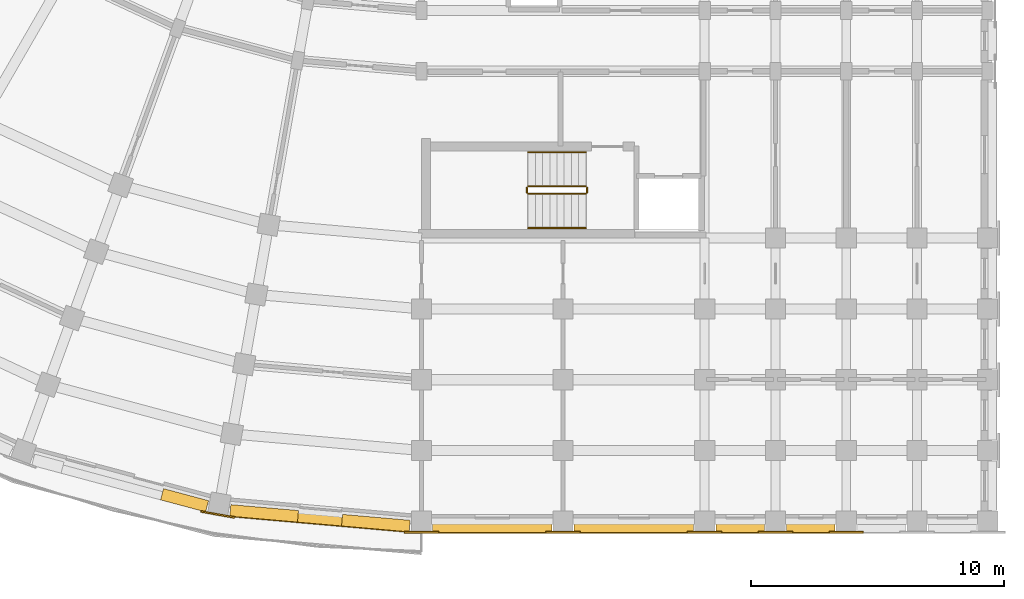
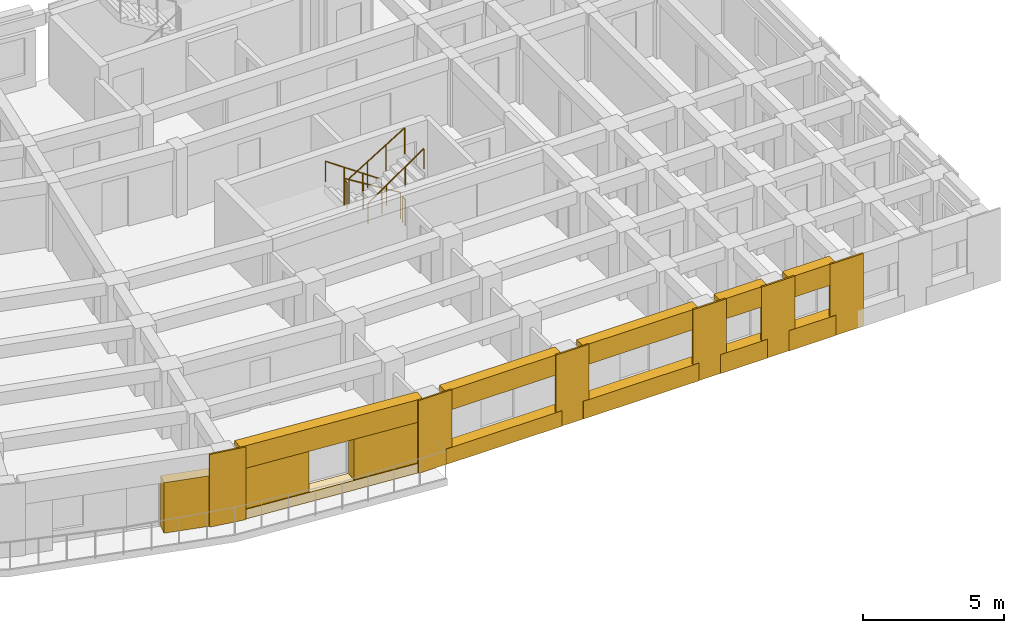
# One storey, part 39 of 54: 19 coverings, 6 railings.
"""IFC4 building model written with IfcOpenShell, lengths in metres."""

from ifc_helpers import new_model, si_unit, direction, frame, origin, origin_2d, place, context, subcontext, project, spatial, polyline, circle, outline, extrude, material, layer, layer_set, type_object, element, save


model = new_model("IFC4")

# Units and contexts
model_context = context("Model", 3, precision=1e-05, world=origin(), true_north=direction((0.0, 1.0)))
body_context = subcontext(model_context, "Body", "Model", "MODEL_VIEW")
ifc_project = project(units=[si_unit("LENGTHUNIT", "METRE"), si_unit("AREAUNIT", "SQUARE_METRE"), si_unit("VOLUMEUNIT", "CUBIC_METRE"), si_unit("PLANEANGLEUNIT", "RADIAN"), si_unit("MASSUNIT", "GRAM", prefix="KILO")], contexts=[model_context])

# Site, building, storey
site_placement = place(None, origin())
site = spatial("IfcSite", under=ifc_project, at=site_placement, CompositionType="ELEMENT")
building_placement = place(site_placement, origin())
building = spatial("IfcBuilding", under=site, at=building_placement, Name="Kiranvali Square Residences", CompositionType="ELEMENT")
storey_placement = place(building_placement, frame((0.0, 0.0, 11.85009765625)))
storey = spatial("IfcBuildingStorey", under=building, at=storey_placement, Name="L03", CompositionType="ELEMENT", Elevation=11.85009765625)

# Coverings
ifc_material_1 = material(Name="Honed Porbandar limestone ashlar facade cladding", Category="masonry")
ifc_layer_1 = layer(ifc_material_1, 0.3798828125)
ifc_layer_set_1 = layer_set([ifc_layer_1], Name="Honed Porbandar limestone ashlar facade cladding")
covering_type_1 = type_object("IfcCoveringType", Name="COV-CLAD-JAMB", PredefinedType="CLADDING", material=ifc_layer_set_1)
covering_1_placement = place(storey_placement, frame((0.0, 0.0, 0.421875)))
element("IfcCovering", 1, at=covering_1_placement, inside=storey, type_object=covering_type_1, Name="L03 deep limestone window jamb reveal C-L03-CRV-00.L", PredefinedType="CLADDING", context=body_context, shape_type="SweptSolid", body=[
    extrude(outline(polyline([(47.751708984375, 2.23876953125), (45.07763671875, 2.47265625), (45.03759765625, 2.014892578125), (47.711669921875, 1.781005859375), (47.751708984375, 2.23876953125)])), origin(), (0.0, 0.0, 1.0), 1.75),
])
covering_2_placement = place(storey_placement, frame((0.0, 0.0, 0.421875)))
element("IfcCovering", 2, at=covering_2_placement, inside=storey, type_object=covering_type_1, Name="L03 deep limestone window jamb reveal C-L03-CRV-00.R", PredefinedType="CLADDING", context=body_context, shape_type="SweptSolid", body=[
    extrude(outline(polyline([(43.33447265625, 2.625244140625), (40.660400390625, 2.859130859375), (40.620361328125, 2.4013671875), (43.29443359375, 2.16748046875), (43.33447265625, 2.625244140625)])), origin(), (0.0, 0.0, 1.0), 1.75),
])
covering_3_placement = place(storey_placement, origin())
element("IfcCovering", 3, at=covering_3_placement, inside=storey, type_object=covering_type_1, Name="L03 deep limestone window jamb reveal C-L03-CRV-01.L", PredefinedType="CLADDING", context=body_context, shape_type="SweptSolid", body=[
    extrude(outline(polyline([(39.77734375, 3.014892578125), (37.998779296875, 3.491455078125), (37.8798828125, 3.047607421875), (39.658447265625, 2.571044921875), (39.77734375, 3.014892578125)])), origin(), (0.0, 0.0, 1.0), 2.179931640625),
])
ifc_layer_2 = layer(ifc_material_1, 0.06494140625)
ifc_layer_set_2 = layer_set([ifc_layer_2], Name="Honed Porbandar limestone ashlar facade cladding")
covering_type_2 = type_object("IfcCoveringType", Name="COV-CLAD-PIER", PredefinedType="CLADDING", material=ifc_layer_set_2)
covering_4_placement = place(storey_placement, frame((0.0, 0.0, 0.0048828125)))
element("IfcCovering", 4, at=covering_4_placement, inside=storey, type_object=covering_type_2, Name="L03 Classical limestone corner pilaster CLAD-PR-C-L03-A00", PredefinedType="CLADDING", context=body_context, shape_type="SweptSolid", body=[
    extrude(outline(polyline([(47.52001953125, 1.73193359375), (48.8798828125, 1.73193359375), (48.8798828125, 1.799560546875), (47.52001953125, 1.799560546875), (47.52001953125, 1.73193359375)])), origin(), (0.0, 0.0, 1.0), 3.14013671875),
])
covering_5_placement = place(storey_placement, frame((0.0, 0.0, 0.0048828125)))
element("IfcCovering", 5, at=covering_5_placement, inside=storey, type_object=covering_type_2, Name="L03 Classical limestone corner pilaster CLAD-PR-C-L03-A01", PredefinedType="CLADDING", context=body_context, shape_type="SweptSolid", body=[
    extrude(outline(polyline([(39.461181640625, 2.555908203125), (40.800537109375, 2.31982421875), (40.812255859375, 2.38623046875), (39.472900390625, 2.62255859375), (39.461181640625, 2.555908203125)])), origin(), (0.0, 0.0, 1.0), 3.14013671875),
])
covering_6_placement = place(storey_placement, frame((0.0, 0.0, 0.0048828125)))
element("IfcCovering", 6, at=covering_6_placement, inside=storey, type_object=covering_type_2, Name="L03 Classical limestone pilaster casing CLAD-PR-C-L03-U56", PredefinedType="CLADDING", context=body_context, shape_type="SweptSolid", body=[
    extrude(outline(polyline([(53.1201171875, 1.73193359375), (54.47998046875, 1.73193359375), (54.47998046875, 1.799560546875), (53.1201171875, 1.799560546875), (53.1201171875, 1.73193359375)])), origin(), (0.0, 0.0, 1.0), 3.14013671875),
])
covering_7_placement = place(storey_placement, frame((0.0, 0.0, 0.0048828125)))
element("IfcCovering", 7, at=covering_7_placement, inside=storey, type_object=covering_type_2, Name="L03 Classical limestone pilaster casing CLAD-PR-C-L03-U112", PredefinedType="CLADDING", context=body_context, shape_type="SweptSolid", body=[
    extrude(outline(polyline([(58.719970703125, 1.73193359375), (60.080078125, 1.73193359375), (60.080078125, 1.799560546875), (58.719970703125, 1.799560546875), (58.719970703125, 1.73193359375)])), origin(), (0.0, 0.0, 1.0), 3.14013671875),
])
covering_8_placement = place(storey_placement, frame((0.0, 0.0, 0.0048828125)))
element("IfcCovering", 8, at=covering_8_placement, inside=storey, type_object=covering_type_2, Name="L03 Classical limestone pilaster casing CLAD-PR-C-L03-U140", PredefinedType="CLADDING", context=body_context, shape_type="SweptSolid", body=[
    extrude(outline(polyline([(61.52001953125, 1.73193359375), (62.8798828125, 1.73193359375), (62.8798828125, 1.799560546875), (61.52001953125, 1.799560546875), (61.52001953125, 1.73193359375)])), origin(), (0.0, 0.0, 1.0), 3.14013671875),
])
covering_9_placement = place(storey_placement, frame((0.0, 0.0, 0.0048828125)))
element("IfcCovering", 9, at=covering_9_placement, inside=storey, type_object=covering_type_2, Name="L03 Classical limestone pilaster casing CLAD-PR-C-L03-U167", PredefinedType="CLADDING", context=body_context, shape_type="SweptSolid", body=[
    extrude(outline(polyline([(64.320068359375, 1.73193359375), (65.679931640625, 1.73193359375), (65.679931640625, 1.799560546875), (64.320068359375, 1.799560546875), (64.320068359375, 1.73193359375)])), origin(), (0.0, 0.0, 1.0), 3.14013671875),
])
ifc_layer_3 = layer(ifc_material_1, 0.360107421875)
ifc_layer_set_3 = layer_set([ifc_layer_3], Name="Honed Porbandar limestone ashlar facade cladding")
covering_type_3 = type_object("IfcCoveringType", Name="COV-CLAD-WALL", PredefinedType="CLADDING", material=ifc_layer_set_3)
covering_10_placement = place(storey_placement, frame((0.0, 0.0, 2.171875)))
element("IfcCovering", 10, at=covering_10_placement, inside=storey, type_object=covering_type_3, Name="L03 light limestone spandrel lintel C-L03-CRV-00", PredefinedType="CLADDING", context=body_context, shape_type="SweptSolid", body=[
    extrude(outline(polyline([(47.751708984375, 2.23876953125), (40.660400390625, 2.859130859375), (40.620361328125, 2.4013671875), (47.711669921875, 1.781005859375), (47.751708984375, 2.23876953125)])), origin(), (0.0, 0.0, 1.0), 0.97314453125),
])
covering_11_placement = place(storey_placement, frame((0.0, 0.0, 0.0048828125)))
element("IfcCovering", 11, at=covering_11_placement, inside=storey, type_object=covering_type_3, Name="L03 limestone window sill apron C-L03-CRV-00", PredefinedType="CLADDING", context=body_context, shape_type="SweptSolid", body=[
    extrude(outline(polyline([(47.751708984375, 2.23876953125), (40.660400390625, 2.859130859375), (40.61767578125, 2.37158203125), (47.708984375, 1.7509765625), (47.751708984375, 2.23876953125)])), origin(), (0.0, 0.0, 1.0), 0.4169921875),
])
covering_12_placement = place(storey_placement, frame((0.0, 0.0, 2.27197265625)))
element("IfcCovering", 12, at=covering_12_placement, inside=storey, type_object=covering_type_3, Name="L03 light limestone spandrel lintel C-L03-A1O-0", PredefinedType="CLADDING", context=body_context, shape_type="SweptSolid", body=[
    extrude(outline(polyline([(48.639892578125, 1.75), (53.360107421875, 1.75), (53.360107421875, 2.199462890625), (48.639892578125, 2.199462890625), (48.639892578125, 1.75)])), origin(), (0.0, 0.0, 1.0), 0.873046875),
])
covering_13_placement = place(storey_placement, frame((0.0, 0.0, 0.0048828125)))
element("IfcCovering", 13, at=covering_13_placement, inside=storey, type_object=covering_type_3, Name="L03 limestone window sill apron C-L03-A1O-0", PredefinedType="CLADDING", context=body_context, shape_type="SweptSolid", body=[
    extrude(outline(polyline([(48.639892578125, 1.719970703125), (53.360107421875, 1.719970703125), (53.360107421875, 2.199462890625), (48.639892578125, 2.199462890625), (48.639892578125, 1.719970703125)])), origin(), (0.0, 0.0, 1.0), 0.6669921875),
])
covering_14_placement = place(storey_placement, frame((0.0, 0.0, 2.27197265625)))
element("IfcCovering", 14, at=covering_14_placement, inside=storey, type_object=covering_type_3, Name="L03 light limestone spandrel lintel C-L03-A1O-1", PredefinedType="CLADDING", context=body_context, shape_type="SweptSolid", body=[
    extrude(outline(polyline([(54.239990234375, 1.75), (58.9599609375, 1.75), (58.9599609375, 2.199462890625), (54.239990234375, 2.199462890625), (54.239990234375, 1.75)])), origin(), (0.0, 0.0, 1.0), 0.873046875),
])
covering_15_placement = place(storey_placement, frame((0.0, 0.0, 0.0048828125)))
element("IfcCovering", 15, at=covering_15_placement, inside=storey, type_object=covering_type_3, Name="L03 limestone window sill apron C-L03-A1O-1", PredefinedType="CLADDING", context=body_context, shape_type="SweptSolid", body=[
    extrude(outline(polyline([(54.239990234375, 1.719970703125), (58.9599609375, 1.719970703125), (58.9599609375, 2.199462890625), (54.239990234375, 2.199462890625), (54.239990234375, 1.719970703125)])), origin(), (0.0, 0.0, 1.0), 0.76708984375),
])
covering_16_placement = place(storey_placement, frame((0.0, 0.0, 2.27197265625)))
element("IfcCovering", 16, at=covering_16_placement, inside=storey, type_object=covering_type_3, Name="L03 light limestone spandrel lintel C-L03-A1O-2", PredefinedType="CLADDING", context=body_context, shape_type="SweptSolid", body=[
    extrude(outline(polyline([(59.840087890625, 1.75), (61.760009765625, 1.75), (61.760009765625, 2.199462890625), (59.840087890625, 2.199462890625), (59.840087890625, 1.75)])), origin(), (0.0, 0.0, 1.0), 0.873046875),
])
covering_17_placement = place(storey_placement, frame((0.0, 0.0, 0.0048828125)))
element("IfcCovering", 17, at=covering_17_placement, inside=storey, type_object=covering_type_3, Name="L03 limestone window sill apron C-L03-A1O-2", PredefinedType="CLADDING", context=body_context, shape_type="SweptSolid", body=[
    extrude(outline(polyline([(59.840087890625, 1.719970703125), (61.760009765625, 1.719970703125), (61.760009765625, 2.199462890625), (59.840087890625, 2.199462890625), (59.840087890625, 1.719970703125)])), origin(), (0.0, 0.0, 1.0), 0.817138671875),
])
covering_18_placement = place(storey_placement, frame((0.0, 0.0, 2.22998046875)))
element("IfcCovering", 18, at=covering_18_placement, inside=storey, type_object=covering_type_3, Name="L03 light limestone spandrel lintel C-L03-A1O-3", PredefinedType="CLADDING", context=body_context, shape_type="SweptSolid", body=[
    extrude(outline(polyline([(62.639892578125, 1.75), (64.56005859375, 1.75), (64.56005859375, 2.199462890625), (62.639892578125, 2.199462890625), (62.639892578125, 1.75)])), origin(), (0.0, 0.0, 1.0), 0.9150390625),
])
covering_19_placement = place(storey_placement, frame((0.0, 0.0, 0.0048828125)))
element("IfcCovering", 19, at=covering_19_placement, inside=storey, type_object=covering_type_3, Name="L03 limestone window sill apron C-L03-A1O-3", PredefinedType="CLADDING", context=body_context, shape_type="SweptSolid", body=[
    extrude(outline(polyline([(62.639892578125, 1.719970703125), (64.56005859375, 1.719970703125), (64.56005859375, 2.199462890625), (62.639892578125, 2.199462890625), (62.639892578125, 1.719970703125)])), origin(), (0.0, 0.0, 1.0), 0.875),
])

# Railings
ifc_material_2 = material(Name="Brushed stainless steel tubular handrail", Category="steel")
railing_type_1 = type_object("IfcRailingType", Name="RL-HANDRAIL-900", PredefinedType="HANDRAIL", material=ifc_material_2)
railing_1_placement = place(storey_placement, frame((54.699951171875, 16.800048828125, 0.1748046875)))
element("IfcRailing", 20, at=railing_1_placement, inside=storey, type_object=railing_type_1, Name="L03 ST-C1 stair handrail 1", PredefinedType="HANDRAIL", context=body_context, shape_type="SweptSolid", body=[
    extrude(circle(Radius=0.02392578125, at=origin_2d()), frame((0.0, 0.0, 0.8759765625), z_axis=(-0.82274681792, 0.0, 0.568408016835), x_axis=(0.0, -1.0, 0.0)), (0.0, 0.0, 1.0), 2.771240234375),
    extrude(circle(Radius=0.02099609375, at=origin_2d()), origin(), (0.0, 0.0, 1.0), 0.851806640625),
    extrude(circle(Radius=0.02099609375, at=origin_2d()), frame((-0.760009765625, 0.0, 0.525146484375)), (0.0, 0.0, 1.0), 0.851806640625),
    extrude(circle(Radius=0.02099609375, at=origin_2d()), frame((-1.52001953125, 0.0, 1.050048828125)), (0.0, 0.0, 1.0), 0.851806640625),
    extrude(circle(Radius=0.02099609375, at=origin_2d()), frame((-2.280029296875, 0.0, 1.5751953125)), (0.0, 0.0, 1.0), 0.851806640625),
])
railing_2_placement = place(storey_placement, frame((52.419921875, 13.800048828125, 1.75)))
element("IfcRailing", 21, at=railing_2_placement, inside=storey, type_object=railing_type_1, Name="L03 ST-C1 stair handrail 2", PredefinedType="HANDRAIL", context=body_context, shape_type="SweptSolid", body=[
    extrude(circle(Radius=0.02392578125, at=origin_2d()), frame((0.0, 0.0, 0.8759765625), z_axis=(0.82278801735, 0.0, 0.568348377763), x_axis=(0.0, 1.0, 0.0)), (0.0, 0.0, 1.0), 2.77099609375),
    extrude(circle(Radius=0.02099609375, at=origin_2d()), origin(), (0.0, 0.0, 1.0), 0.851806640625),
    extrude(circle(Radius=0.02099609375, at=origin_2d()), frame((0.760009765625, 0.0, 0.52490234375)), (0.0, 0.0, 1.0), 0.851806640625),
    extrude(circle(Radius=0.02099609375, at=origin_2d()), frame((1.52001953125, 0.0, 1.050048828125)), (0.0, 0.0, 1.0), 0.851806640625),
    extrude(circle(Radius=0.02099609375, at=origin_2d()), frame((2.280029296875, 0.0, 1.574951171875)), (0.0, 0.0, 1.0), 0.851806640625),
])
ifc_material_3 = material(Name="Powder-coated architectural bronze balustrade", Category="steel")
railing_type_2 = type_object("IfcRailingType", Name="RL-ST-GUARD-1200", PredefinedType="GUARDRAIL", material=ifc_material_3)
railing_3_placement = place(storey_placement, frame((54.699951171875, 15.449951171875, 0.1748046875)))
element("IfcRailing", 22, at=railing_3_placement, inside=storey, type_object=railing_type_2, Name="L03 ST-C1 stair guard 1", PredefinedType="GUARDRAIL", context=body_context, shape_type="SweptSolid", body=[
    extrude(circle(Radius=0.02392578125, at=origin_2d()), frame((0.0, 0.0, 1.1259765625), z_axis=(-0.852149810458, 0.0, 0.523297908018), x_axis=(0.0, -1.0, 0.0)), (0.0, 0.0, 1.0), 2.675537109375),
    extrude(circle(Radius=0.02099609375, at=origin_2d()), origin(), (0.0, 0.0, 1.0), 1.101806640625),
    extrude(circle(Radius=0.02099609375, at=origin_2d()), frame((-0.760009765625, 0.0, 0.466796875)), (0.0, 0.0, 1.0), 1.101806640625),
    extrude(circle(Radius=0.02099609375, at=origin_2d()), frame((-1.52001953125, 0.0, 0.933349609375)), (0.0, 0.0, 1.0), 1.101806640625),
    extrude(circle(Radius=0.02099609375, at=origin_2d()), frame((-2.280029296875, 0.0, 1.400146484375)), (0.0, 0.0, 1.0), 1.101806640625),
])
railing_4_placement = place(storey_placement, frame((52.3701171875, 15.39990234375, 1.574951171875)))
element("IfcRailing", 23, at=railing_4_placement, inside=storey, type_object=railing_type_2, Name="L03 ST-C1 stair guard 2", PredefinedType="GUARDRAIL", context=body_context, shape_type="SweptSolid", body=[
    extrude(circle(Radius=0.02392578125, at=origin_2d()), frame((0.0, 0.0, 1.1259765625), z_axis=(0.0, -1.0, 0.0), x_axis=(1.0, 0.0, 0.0)), (0.0, 0.0, 1.0), 0.199951171875),
    extrude(circle(Radius=0.02099609375, at=origin_2d()), origin(), (0.0, 0.0, 1.0), 1.101806640625),
    extrude(circle(Radius=0.02099609375, at=origin_2d()), frame((0.0, -0.199951171875, 0.0)), (0.0, 0.0, 1.0), 1.101806640625),
])
railing_5_placement = place(storey_placement, frame((52.419921875, 15.14990234375, 1.75)))
element("IfcRailing", 24, at=railing_5_placement, inside=storey, type_object=railing_type_2, Name="L03 ST-C1 stair guard 3", PredefinedType="GUARDRAIL", context=body_context, shape_type="SweptSolid", body=[
    extrude(circle(Radius=0.02392578125, at=origin_2d()), frame((0.0, 0.0, 1.1259765625), z_axis=(0.852190499154, 0.0, 0.523231643875), x_axis=(0.0, 1.0, 0.0)), (0.0, 0.0, 1.0), 2.675537109375),
    extrude(circle(Radius=0.02099609375, at=origin_2d()), origin(), (0.0, 0.0, 1.0), 1.101806640625),
    extrude(circle(Radius=0.02099609375, at=origin_2d()), frame((0.760009765625, 0.0, 0.466552734375)), (0.0, 0.0, 1.0), 1.101806640625),
    extrude(circle(Radius=0.02099609375, at=origin_2d()), frame((1.52001953125, 0.0, 0.933349609375)), (0.0, 0.0, 1.0), 1.101806640625),
    extrude(circle(Radius=0.02099609375, at=origin_2d()), frame((2.280029296875, 0.0, 1.39990234375)), (0.0, 0.0, 1.0), 1.101806640625),
])
railing_6_placement = place(storey_placement, frame((54.75, 15.39990234375, 0.0)))
element("IfcRailing", 25, at=railing_6_placement, inside=storey, type_object=railing_type_2, Name="L03 ST-C1 stair guard 4", PredefinedType="GUARDRAIL", context=body_context, shape_type="SweptSolid", body=[
    extrude(circle(Radius=0.02392578125, at=origin_2d()), frame((0.0, 0.0, 1.1259765625), z_axis=(0.0, -1.0, 0.0), x_axis=(1.0, 0.0, 0.0)), (0.0, 0.0, 1.0), 0.199951171875),
    extrude(circle(Radius=0.02099609375, at=origin_2d()), origin(), (0.0, 0.0, 1.0), 1.101806640625),
    extrude(circle(Radius=0.02099609375, at=origin_2d()), frame((0.0, -0.199951171875, 0.0)), (0.0, 0.0, 1.0), 1.101806640625),
])

save(model, "model.ifc")
